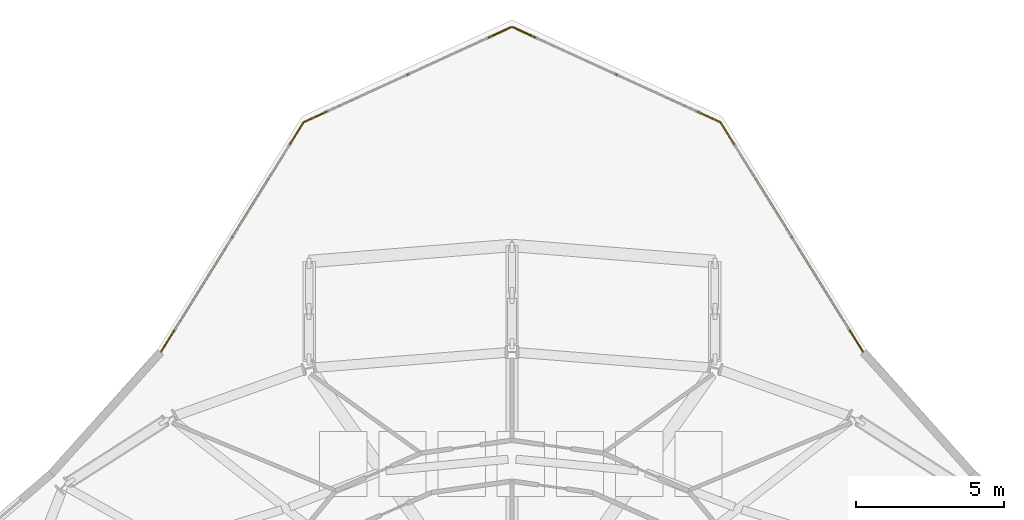
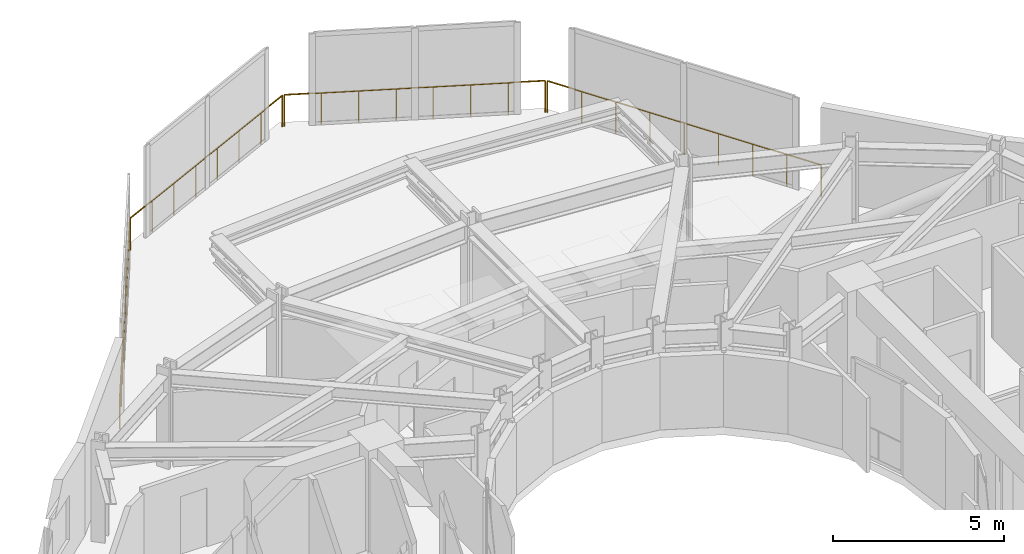
# One storey, part 24 of 24: 4 railings.
"""IFC4 building model written with IfcOpenShell, lengths in metres."""

from ifc_helpers import new_model, si_unit, direction, frame, origin, origin_2d, place, context, subcontext, project, spatial, circle, extrude, material, type_object, element, save


model = new_model("IFC4")

# Units and contexts
model_context = context("Model", 3, precision=1e-05, world=origin(), true_north=direction((0.0, 1.0)))
body_context = subcontext(model_context, "Body", "Model", "MODEL_VIEW")
ifc_project = project(units=[si_unit("LENGTHUNIT", "METRE"), si_unit("AREAUNIT", "SQUARE_METRE"), si_unit("VOLUMEUNIT", "CUBIC_METRE"), si_unit("PLANEANGLEUNIT", "RADIAN"), si_unit("MASSUNIT", "GRAM", prefix="KILO")], contexts=[model_context])

# Site, building, storey
site_placement = place(None, origin())
site = spatial("IfcSite", under=ifc_project, at=site_placement, CompositionType="ELEMENT")
building_placement = place(site_placement, origin())
building = spatial("IfcBuilding", under=site, at=building_placement, Name="Solvane Sanctuary Tower", CompositionType="ELEMENT")
storey_placement = place(building_placement, frame((0.0, 0.0, 246.0)))
storey = spatial("IfcBuildingStorey", under=building, at=storey_placement, Name="L75", CompositionType="ELEMENT", Elevation=246.0)

# Railings
ifc_material = material(Name="Architectural Stainless Steel 316", Category="steel")
railing_type = type_object("IfcRailingType", Name="Railing GR-BALC-1150", PredefinedType="BALUSTRADE", material=ifc_material)
railing_1_placement = place(storey_placement, frame((43.854248046875, 38.695556640625, 0.0)))
element("IfcRailing", 1, at=railing_1_placement, inside=storey, type_object=railing_type, Name="L75 Curtain-Wall Perimeter Sill Guard 04", PredefinedType="BALUSTRADE", context=body_context, shape_type="SweptSolid", body=[
    extrude(circle(Radius=0.02392578125, at=origin_2d()), frame((0.0, 0.0, 1.1259765625), z_axis=(-0.527392269957, 0.84962191214, 0.0), x_axis=(-0.84962191214, -0.527392269957, 0.0)), (0.0, 0.0, 1.0), 9.0927734375),
    extrude(circle(Radius=0.02099609375, at=origin_2d()), origin(), (0.0, 0.0, 1.0), 1.101806640625),
    extrude(circle(Radius=0.02099609375, at=origin_2d()), frame((-0.599365234375, 0.965576171875, 0.0)), (0.0, 0.0, 1.0), 1.101806640625),
    extrude(circle(Radius=0.02099609375, at=origin_2d()), frame((-1.19873046875, 1.931396484375, 0.0)), (0.0, 0.0, 1.0), 1.101806640625),
    extrude(circle(Radius=0.02099609375, at=origin_2d()), frame((-1.79833984375, 2.89697265625, 0.0)), (0.0, 0.0, 1.0), 1.101806640625),
    extrude(circle(Radius=0.02099609375, at=origin_2d()), frame((-2.397705078125, 3.86279296875, 0.0)), (0.0, 0.0, 1.0), 1.101806640625),
    extrude(circle(Radius=0.02099609375, at=origin_2d()), frame((-2.9970703125, 4.828369140625, 0.0)), (0.0, 0.0, 1.0), 1.101806640625),
    extrude(circle(Radius=0.02099609375, at=origin_2d()), frame((-3.5966796875, 5.7939453125, 0.0)), (0.0, 0.0, 1.0), 1.101806640625),
    extrude(circle(Radius=0.02099609375, at=origin_2d()), frame((-4.196044921875, 6.759765625, 0.0)), (0.0, 0.0, 1.0), 1.101806640625),
    extrude(circle(Radius=0.02099609375, at=origin_2d()), frame((-4.79541015625, 7.725341796875, 0.0)), (0.0, 0.0, 1.0), 1.101806640625),
])
railing_2_placement = place(storey_placement, frame((39.015625, 46.458984375, 0.0)))
element("IfcRailing", 2, at=railing_2_placement, inside=storey, type_object=railing_type, Name="L75 Curtain-Wall Perimeter Sill Guard 05", PredefinedType="BALUSTRADE", context=body_context, shape_type="SweptSolid", body=[
    extrude(circle(Radius=0.02392578125, at=origin_2d()), frame((0.0, 0.0, 1.1259765625), z_axis=(-0.90926124068, 0.416225895634, 0.0), x_axis=(-0.416225895634, -0.90926124068, 0.0)), (0.0, 0.0, 1.0), 7.685791015625),
    extrude(circle(Radius=0.02099609375, at=origin_2d()), origin(), (0.0, 0.0, 1.0), 1.101806640625),
    extrude(circle(Radius=0.02099609375, at=origin_2d()), frame((-0.998291015625, 0.45703125, 0.0)), (0.0, 0.0, 1.0), 1.101806640625),
    extrude(circle(Radius=0.02099609375, at=origin_2d()), frame((-1.99658203125, 0.9140625, 0.0)), (0.0, 0.0, 1.0), 1.101806640625),
    extrude(circle(Radius=0.02099609375, at=origin_2d()), frame((-2.994873046875, 1.37109375, 0.0)), (0.0, 0.0, 1.0), 1.101806640625),
    extrude(circle(Radius=0.02099609375, at=origin_2d()), frame((-3.993408203125, 1.827880859375, 0.0)), (0.0, 0.0, 1.0), 1.101806640625),
    extrude(circle(Radius=0.02099609375, at=origin_2d()), frame((-4.99169921875, 2.284912109375, 0.0)), (0.0, 0.0, 1.0), 1.101806640625),
    extrude(circle(Radius=0.02099609375, at=origin_2d()), frame((-5.989990234375, 2.741943359375, 0.0)), (0.0, 0.0, 1.0), 1.101806640625),
    extrude(circle(Radius=0.02099609375, at=origin_2d()), frame((-6.98828125, 3.198974609375, 0.0)), (0.0, 0.0, 1.0), 1.101806640625),
])
railing_3_placement = place(storey_placement, frame((31.97265625, 49.657958984375, 0.0)))
element("IfcRailing", 3, at=railing_3_placement, inside=storey, type_object=railing_type, Name="L75 Curtain-Wall Perimeter Sill Guard 06", PredefinedType="BALUSTRADE", context=body_context, shape_type="SweptSolid", body=[
    extrude(circle(Radius=0.02392578125, at=origin_2d()), frame((0.0, 0.0, 1.1259765625), z_axis=(-0.90926124068, -0.416225895634, 0.0), x_axis=(0.416225895634, -0.90926124068, 0.0)), (0.0, 0.0, 1.0), 7.685791015625),
    extrude(circle(Radius=0.02099609375, at=origin_2d()), origin(), (0.0, 0.0, 1.0), 1.101806640625),
    extrude(circle(Radius=0.02099609375, at=origin_2d()), frame((-0.998291015625, -0.45703125, 0.0)), (0.0, 0.0, 1.0), 1.101806640625),
    extrude(circle(Radius=0.02099609375, at=origin_2d()), frame((-1.99658203125, -0.9140625, 0.0)), (0.0, 0.0, 1.0), 1.101806640625),
    extrude(circle(Radius=0.02099609375, at=origin_2d()), frame((-2.994873046875, -1.37109375, 0.0)), (0.0, 0.0, 1.0), 1.101806640625),
    extrude(circle(Radius=0.02099609375, at=origin_2d()), frame((-3.993408203125, -1.827880859375, 0.0)), (0.0, 0.0, 1.0), 1.101806640625),
    extrude(circle(Radius=0.02099609375, at=origin_2d()), frame((-4.99169921875, -2.284912109375, 0.0)), (0.0, 0.0, 1.0), 1.101806640625),
    extrude(circle(Radius=0.02099609375, at=origin_2d()), frame((-5.989990234375, -2.741943359375, 0.0)), (0.0, 0.0, 1.0), 1.101806640625),
    extrude(circle(Radius=0.02099609375, at=origin_2d()), frame((-6.98828125, -3.198974609375, 0.0)), (0.0, 0.0, 1.0), 1.101806640625),
])
railing_4_placement = place(storey_placement, frame((24.941162109375, 46.4208984375, 0.0)))
element("IfcRailing", 4, at=railing_4_placement, inside=storey, type_object=railing_type, Name="L75 Curtain-Wall Perimeter Sill Guard 07", PredefinedType="BALUSTRADE", context=body_context, shape_type="SweptSolid", body=[
    extrude(circle(Radius=0.02392578125, at=origin_2d()), frame((0.0, 0.0, 1.1259765625), z_axis=(-0.527392269957, -0.84962191214, 0.0), x_axis=(0.84962191214, -0.527392269957, 0.0)), (0.0, 0.0, 1.0), 9.0927734375),
    extrude(circle(Radius=0.02099609375, at=origin_2d()), origin(), (0.0, 0.0, 1.0), 1.101806640625),
    extrude(circle(Radius=0.02099609375, at=origin_2d()), frame((-0.599365234375, -0.965576171875, 0.0)), (0.0, 0.0, 1.0), 1.101806640625),
    extrude(circle(Radius=0.02099609375, at=origin_2d()), frame((-1.19873046875, -1.931396484375, 0.0)), (0.0, 0.0, 1.0), 1.101806640625),
    extrude(circle(Radius=0.02099609375, at=origin_2d()), frame((-1.79833984375, -2.89697265625, 0.0)), (0.0, 0.0, 1.0), 1.101806640625),
    extrude(circle(Radius=0.02099609375, at=origin_2d()), frame((-2.397705078125, -3.86279296875, 0.0)), (0.0, 0.0, 1.0), 1.101806640625),
    extrude(circle(Radius=0.02099609375, at=origin_2d()), frame((-2.9970703125, -4.828369140625, 0.0)), (0.0, 0.0, 1.0), 1.101806640625),
    extrude(circle(Radius=0.02099609375, at=origin_2d()), frame((-3.5966796875, -5.7939453125, 0.0)), (0.0, 0.0, 1.0), 1.101806640625),
    extrude(circle(Radius=0.02099609375, at=origin_2d()), frame((-4.196044921875, -6.759765625, 0.0)), (0.0, 0.0, 1.0), 1.101806640625),
    extrude(circle(Radius=0.02099609375, at=origin_2d()), frame((-4.79541015625, -7.725341796875, 0.0)), (0.0, 0.0, 1.0), 1.101806640625),
])

save(model, "model.ifc")
